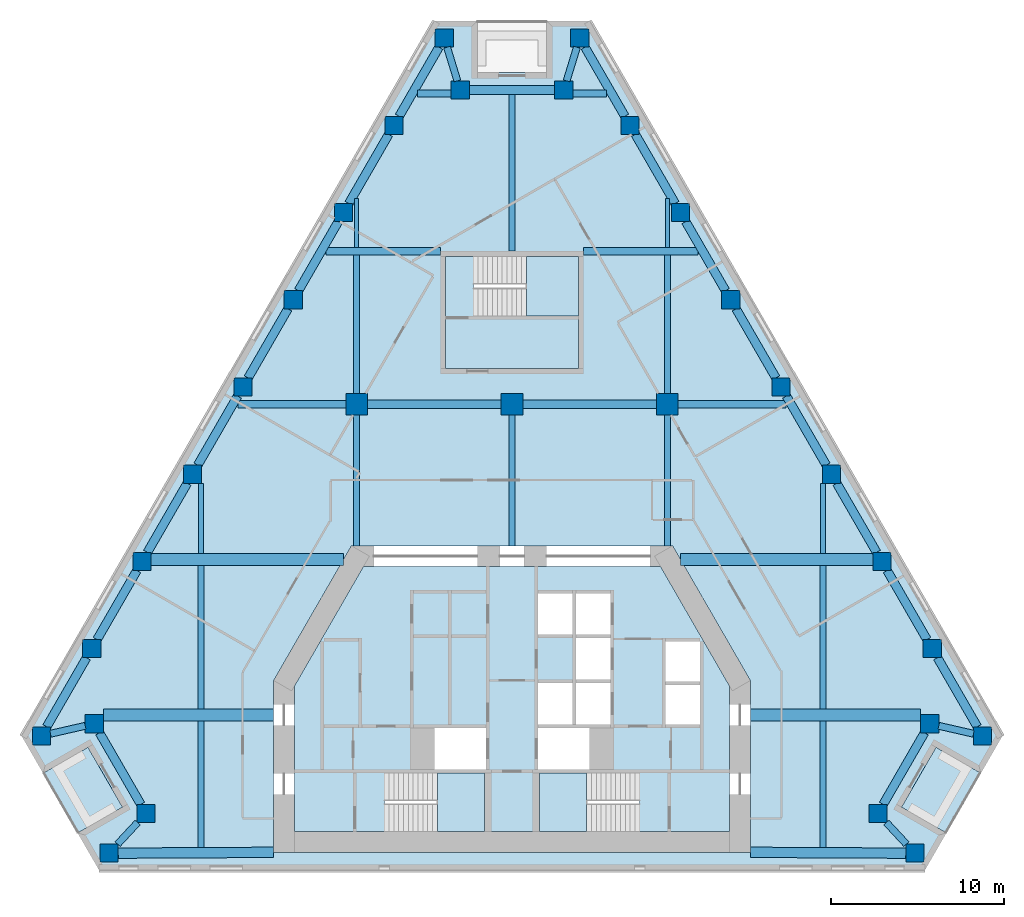
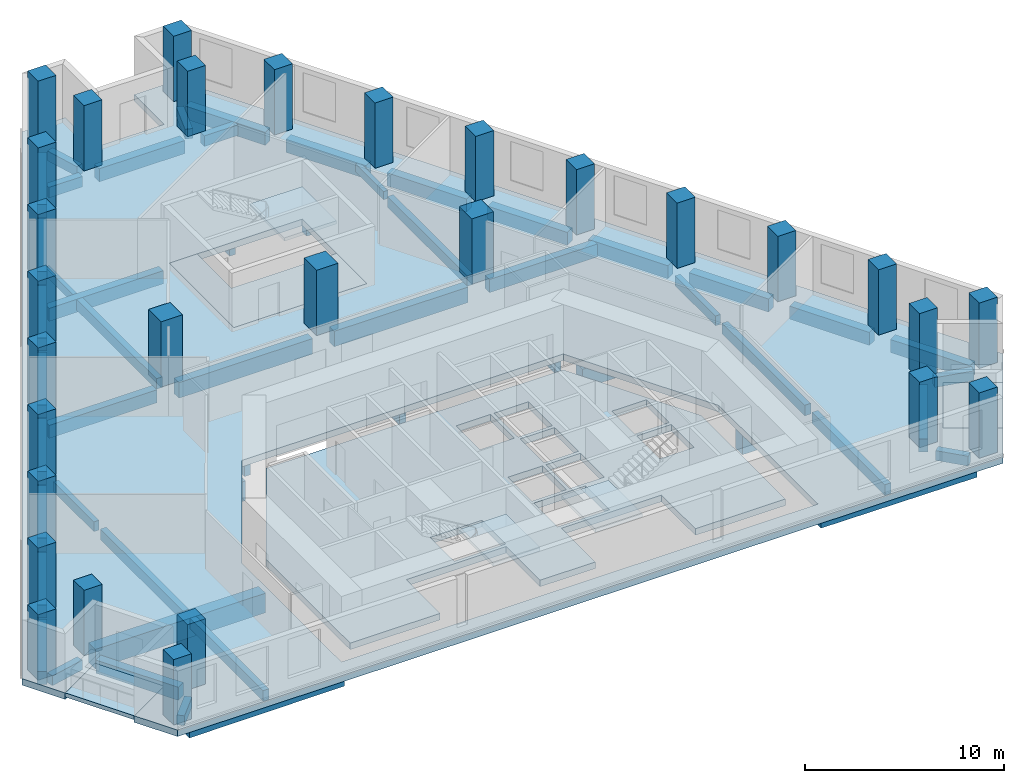
# One storey, part 1 of 7: 53 beams, 29 columns, 8 slabs, 3 elements without a shape of their own.
"""IFC4 building model written with IfcOpenShell, lengths in metres."""

from ifc_helpers import new_model, si_unit, direction, frame, origin, origin_2d, place, context, subcontext, project, spatial, polyline, rectangle, outline, extrude, material, layer, layer_set, material_profile, profile_set, type_object, element, aggregate, save


model = new_model("IFC4")

# Units and contexts
model_context = context("Model", 3, precision=1e-05, world=origin(), true_north=direction((0.0, 1.0)))
body_context = subcontext(model_context, "Body", "Model", "MODEL_VIEW")
ifc_project = project(units=[si_unit("LENGTHUNIT", "METRE"), si_unit("AREAUNIT", "SQUARE_METRE"), si_unit("VOLUMEUNIT", "CUBIC_METRE"), si_unit("PLANEANGLEUNIT", "RADIAN"), si_unit("MASSUNIT", "GRAM", prefix="KILO")], contexts=[model_context])

# Site, building, storey
site_placement = place(None, origin())
site = spatial("IfcSite", under=ifc_project, at=site_placement, CompositionType="ELEMENT")
building_placement = place(site_placement, origin())
building = spatial("IfcBuilding", under=site, at=building_placement, Name="Fogline Exchange Tower", CompositionType="ELEMENT")
storey_placement = place(building_placement, frame((0.0, 0.0, 166.89990234375)))
storey = spatial("IfcBuildingStorey", under=building, at=storey_placement, Name="L37", CompositionType="ELEMENT", Elevation=166.89990234375)

# Columns
ifc_material_1 = material(Name="Concrete C70", Category="concrete")
ifc_material_profile_1 = material_profile(ifc_material_1, rectangle(XDim=1.25, YDim=1.25, at=origin_2d()), Name="RC 1250x1250")
ifc_profile_set_1 = profile_set([ifc_material_profile_1], Name="Concrete C70")
column_type_1 = type_object("IfcColumnType", Name="C03", PredefinedType="COLUMN", material=ifc_profile_set_1)
for number, where, z_axis, x_axis, name in (
    (1, (-9.0, 27.0, 0.0), (0.0, 0.0, 1.0), (1.0, 0.0, 0.0), "IC--9-27"),
    (2, (0.0, 27.0, 0.0), (0.0, 0.0, 1.0), (1.0, 0.0, 0.0), "IC-0-27"),
    (3, (9.0, 27.0, 0.0), (0.0, 0.0, 1.0), (1.0, 0.0, 0.0), "IC-9-27"),
):
    element("IfcColumn", number, at=place(storey_placement, frame(where, z_axis=z_axis, x_axis=x_axis)), inside=storey, type_object=column_type_1, Name=name, PredefinedType="COLUMN", context=body_context, shape_type="SweptSolid", body=[
        extrude(rectangle(XDim=1.25, YDim=1.25, at=origin_2d()), origin(), (0.0, 0.0, 1.0), 4.0),
    ])
ifc_material_profile_2 = material_profile(ifc_material_1, rectangle(XDim=1.050048828125, YDim=1.050048828125, at=origin_2d()), Name="RC 1050x1050")
ifc_profile_set_2 = profile_set([ifc_material_profile_2], Name="Concrete C70")
column_type_2 = type_object("IfcColumnType", Name="C04", PredefinedType="COLUMN", material=ifc_profile_set_2)
for number, where, z_axis, x_axis, name in (
    (4, (-27.2490234375, 7.794189453125, 0.0), (0.0, 0.0, 1.0), (1.0, 0.0, 0.0), "SW-a"),
    (5, (-24.189697265625, 8.4951171875, 0.0), (0.0, 0.0, 1.0), (1.0, 0.0, 0.0), "SW-p4"),
    (6, (-21.189697265625, 3.299072265625, 0.0), (0.0, 0.0, 1.0), (1.0, 0.0, 0.0), "SW-p3"),
    (7, (-23.326416015625, 1.0, 0.0), (0.0, 0.0, 1.0), (1.0, 0.0, 0.0), "SW-b"),
    (8, (23.326416015625, 1.0, 0.0), (0.0, 0.0, 1.0), (1.0, 0.0, 0.0), "SE-a"),
    (9, (21.189697265625, 3.299072265625, 0.0), (0.0, 0.0, 1.0), (1.0, 0.0, 0.0), "SE-p4"),
    (10, (24.189697265625, 8.4951171875, 0.0), (0.0, 0.0, 1.0), (1.0, 0.0, 0.0), "SE-p3"),
    (11, (27.2490234375, 7.794189453125, 0.0), (0.0, 0.0, 1.0), (1.0, 0.0, 0.0), "SE-b"),
    (12, (24.333251953125, 12.844482421875, 0.0), (0.0, 0.0, 1.0), (1.0, 0.0, 0.0), "E1"),
    (13, (21.41748046875, 17.894775390625, 0.0), (0.0, 0.0, 1.0), (1.0, 0.0, 0.0), "E2"),
    (14, (18.501708984375, 22.945068359375, 0.0), (0.0, 0.0, 1.0), (1.0, 0.0, 0.0), "E3"),
    (15, (15.585693359375, 27.995361328125, 0.0), (0.0, 0.0, 1.0), (1.0, 0.0, 0.0), "E4"),
    (16, (12.669921875, 33.045654296875, 0.0), (0.0, 0.0, 1.0), (1.0, 0.0, 0.0), "E5"),
    (17, (9.754150390625, 38.095947265625, 0.0), (0.0, 0.0, 1.0), (1.0, 0.0, 0.0), "E6"),
    (18, (6.83837890625, 43.146240234375, 0.0), (0.0, 0.0, 1.0), (1.0, 0.0, 0.0), "E7"),
    (19, (3.922607421875, 48.19677734375, 0.0), (0.0, 0.0, 1.0), (1.0, 0.0, 0.0), "N-a"),
    (20, (3.0, 45.19677734375, 0.0), (0.0, 0.0, 1.0), (1.0, 0.0, 0.0), "N-p4"),
    (21, (-3.0, 45.19677734375, 0.0), (0.0, 0.0, 1.0), (1.0, 0.0, 0.0), "N-p3"),
    (22, (-3.922607421875, 48.19677734375, 0.0), (0.0, 0.0, 1.0), (1.0, 0.0, 0.0), "N-b"),
    (23, (-6.83837890625, 43.146240234375, 0.0), (0.0, 0.0, 1.0), (1.0, 0.0, 0.0), "W1"),
    (24, (-9.754150390625, 38.095947265625, 0.0), (0.0, 0.0, 1.0), (1.0, 0.0, 0.0), "W2"),
    (25, (-12.669921875, 33.045654296875, 0.0), (0.0, 0.0, 1.0), (1.0, 0.0, 0.0), "W3"),
    (26, (-15.585693359375, 27.995361328125, 0.0), (0.0, 0.0, 1.0), (1.0, 0.0, 0.0), "W4"),
    (27, (-18.501708984375, 22.945068359375, 0.0), (0.0, 0.0, 1.0), (1.0, 0.0, 0.0), "W5"),
    (28, (-21.41748046875, 17.894775390625, 0.0), (0.0, 0.0, 1.0), (1.0, 0.0, 0.0), "W6"),
    (29, (-24.333251953125, 12.844482421875, 0.0), (0.0, 0.0, 1.0), (1.0, 0.0, 0.0), "W7"),
):
    element("IfcColumn", number, at=place(storey_placement, frame(where, z_axis=z_axis, x_axis=x_axis)), inside=storey, type_object=column_type_2, Name=name, PredefinedType="COLUMN", context=body_context, shape_type="SweptSolid", body=[
        extrude(rectangle(XDim=1.050048828125, YDim=1.050048828125, at=origin_2d()), origin(), (0.0, 0.0, 1.0), 4.0),
    ])

# Beams
ifc_material_2 = material(Name="Concrete C40", Category="concrete")
ifc_material_profile_3 = material_profile(ifc_material_2, rectangle(XDim=0.300048828125, YDim=0.60009765625, at=origin_2d()), Name="RC 300x600")
ifc_profile_set_3 = profile_set([ifc_material_profile_3], Name="Concrete C40")
beam_type_1 = type_object("IfcBeamType", Name="B06", PredefinedType="BEAM", material=ifc_profile_set_3)
for number, where, z_axis, x_axis, name in (
    (30, (-18.0, 18.35009765625, -0.699951171875), (0.0, 1.0, 0.0), (-1.0, 0.0, 0.0), "SB003"),
    (31, (18.0, 18.35009765625, -0.699951171875), (0.0, 1.0, 0.0), (-1.0, 0.0, 0.0), "SB014"),
):
    element("IfcBeam", number, at=place(storey_placement, frame(where, z_axis=z_axis, x_axis=x_axis)), inside=storey, type_object=beam_type_1, Name=name, PredefinedType="BEAM", context=body_context, shape_type="SweptSolid", body=[
        extrude(rectangle(XDim=0.300048828125, YDim=0.60009765625, at=origin_2d()), origin(), (0.0, 0.0, 1.0), 4.070068359375),
    ])
ifc_material_profile_4 = material_profile(ifc_material_2, rectangle(XDim=0.25, YDim=0.5, at=origin_2d()), Name="RC 250x500")
ifc_profile_set_4 = profile_set([ifc_material_profile_4], Name="Concrete C40")
beam_type_2 = type_object("IfcBeamType", Name="B08", PredefinedType="BEAM", material=ifc_profile_set_4)
for number, where, z_axis, x_axis, name in (
    (32, (-9.0, 36.08203125, -0.64990234375), (0.0, 1.0, 0.0), (-1.0, 0.0, 0.0), "SB006"),
    (33, (9.0, 36.08203125, -0.64990234375), (0.0, 1.0, 0.0), (-1.0, 0.0, 0.0), "SB011"),
):
    element("IfcBeam", number, at=place(storey_placement, frame(where, z_axis=z_axis, x_axis=x_axis)), inside=storey, type_object=beam_type_2, Name=name, PredefinedType="BEAM", context=body_context, shape_type="SweptSolid", body=[
        extrude(rectangle(XDim=0.25, YDim=0.5, at=origin_2d()), origin(), (0.0, 0.0, 1.0), 2.8203125),
    ])
ifc_material_profile_5 = material_profile(ifc_material_2, rectangle(XDim=0.60009765625, YDim=0.89990234375, at=origin_2d()), Name="RC 600x900")
ifc_profile_set_5 = profile_set([ifc_material_profile_5], Name="Concrete C40")
beam_type_3 = type_object("IfcBeamType", Name="B09", PredefinedType="BEAM", material=ifc_profile_set_5)
for number, where, z_axis, x_axis, name in (
    (34, (-22.801513671875, 1.0, -0.849853515625), (0.999984543136, 0.005559990001, 0.0), (-0.005559990001, 0.999984543136, 0.0), "RB004"),
    (35, (13.800048828125, 1.050048828125, -0.849853515625), (0.999984543136, -0.005559990001, 0.0), (0.005559990001, 0.999984543136, 0.0), "RB005"),
):
    element("IfcBeam", number, at=place(storey_placement, frame(where, z_axis=z_axis, x_axis=x_axis)), inside=storey, type_object=beam_type_3, Name=name, PredefinedType="BEAM", context=body_context, shape_type="SweptSolid", body=[
        extrude(rectangle(XDim=0.60009765625, YDim=0.89990234375, at=origin_2d()), origin(), (0.0, 0.0, 1.0), 9.001708984375),
    ])
ifc_material_profile_6 = material_profile(ifc_material_2, rectangle(XDim=0.5, YDim=0.800048828125, at=origin_2d()), Name="RC 500x800")
ifc_profile_set_6 = profile_set([ifc_material_profile_6], Name="Concrete C40")
beam_type_4 = type_object("IfcBeamType", Name="B10", PredefinedType="BEAM", material=ifc_profile_set_6)
for number, where, z_axis, x_axis, name in (
    (36, (-23.886474609375, 7.97021484375, -0.7998046875), (0.499994660107, -0.866028486751, 0.0), (0.866028486751, 0.499994660107, 0.0), "RB002"),
    (37, (21.49267578125, 3.823974609375, -0.7998046875), (0.499994660107, 0.866028486751, 0.0), (-0.866028486751, 0.499994660107, 0.0), "RB007"),
):
    element("IfcBeam", number, at=place(storey_placement, frame(where, z_axis=z_axis, x_axis=x_axis)), inside=storey, type_object=beam_type_4, Name=name, PredefinedType="BEAM", context=body_context, shape_type="SweptSolid", body=[
        extrude(rectangle(XDim=0.5, YDim=0.800048828125, at=origin_2d()), origin(), (0.0, 0.0, 1.0), 4.78759765625),
    ])
for number, where, z_axis, x_axis, name in (
    (38, (26.94580078125, 8.319091796875, -0.7998046875), (-0.499981705991, 0.866035965578, 0.0), (-0.866035965578, -0.499981705991, 0.0), "RB009"),
    (39, (24.030029296875, 13.369384765625, -0.7998046875), (-0.499981705991, 0.866035965578, 0.0), (-0.866035965578, -0.499981705991, 0.0), "RB010"),
):
    element("IfcBeam", number, at=place(storey_placement, frame(where, z_axis=z_axis, x_axis=x_axis)), inside=storey, type_object=beam_type_4, Name=name, PredefinedType="BEAM", context=body_context, shape_type="SweptSolid", body=[
        extrude(rectangle(XDim=0.5, YDim=0.800048828125, at=origin_2d()), origin(), (0.0, 0.0, 1.0), 4.619384765625),
    ])
for number, where, z_axis, x_axis, name in (
    (40, (21.1142578125, 18.419921875, -0.7998046875), (-0.500004591975, 0.86602275259, 0.0), (-0.86602275259, -0.500004591975, 0.0), "RB011"),
    (41, (18.198486328125, 23.47021484375, -0.7998046875), (-0.500004591975, 0.86602275259, 0.0), (-0.86602275259, -0.500004591975, 0.0), "RB012"),
    (42, (15.28271484375, 28.5205078125, -0.7998046875), (-0.500004591975, 0.86602275259, 0.0), (-0.86602275259, -0.500004591975, 0.0), "RB013"),
    (43, (12.366943359375, 33.57080078125, -0.7998046875), (-0.500004591975, 0.86602275259, 0.0), (-0.86602275259, -0.500004591975, 0.0), "RB014"),
    (44, (9.451171875, 38.62109375, -0.7998046875), (-0.500004591975, 0.86602275259, 0.0), (-0.86602275259, -0.500004591975, 0.0), "RB015"),
    (45, (6.535400390625, 43.67138671875, -0.7998046875), (-0.500004591975, 0.86602275259, 0.0), (-0.86602275259, -0.500004591975, 0.0), "RB016"),
):
    element("IfcBeam", number, at=place(storey_placement, frame(where, z_axis=z_axis, x_axis=x_axis)), inside=storey, type_object=beam_type_4, Name=name, PredefinedType="BEAM", context=body_context, shape_type="SweptSolid", body=[
        extrude(rectangle(XDim=0.5, YDim=0.800048828125, at=origin_2d()), origin(), (0.0, 0.0, 1.0), 4.619140625),
    ])
beam_1_placement = place(storey_placement, frame((2.47509765625, 45.19677734375, -0.7998046875), z_axis=(-1.0, 0.0, 0.0), x_axis=(0.0, -1.0, 0.0)))
element("IfcBeam", 46, at=beam_1_placement, inside=storey, type_object=beam_type_4, Name="RB018", PredefinedType="BEAM", context=body_context, shape_type="SweptSolid", body=[
    extrude(rectangle(XDim=0.5, YDim=0.800048828125, at=origin_2d()), origin(), (0.0, 0.0, 1.0), 4.9501953125),
])
for number, where, z_axis, x_axis, name in (
    (47, (-4.225830078125, 47.671630859375, -0.7998046875), (-0.500004591975, -0.86602275259, 0.0), (0.86602275259, -0.500004591975, 0.0), "RB020"),
    (48, (-7.1416015625, 42.621337890625, -0.7998046875), (-0.500004591975, -0.86602275259, 0.0), (0.86602275259, -0.500004591975, 0.0), "RB021"),
    (49, (-10.057373046875, 37.571044921875, -0.7998046875), (-0.500004591975, -0.86602275259, 0.0), (0.86602275259, -0.500004591975, 0.0), "RB022"),
    (50, (-12.97314453125, 32.520751953125, -0.7998046875), (-0.500004591975, -0.86602275259, 0.0), (0.86602275259, -0.500004591975, 0.0), "RB023"),
    (51, (-15.888916015625, 27.470458984375, -0.7998046875), (-0.500004591975, -0.86602275259, 0.0), (0.86602275259, -0.500004591975, 0.0), "RB024"),
    (52, (-18.8046875, 22.420166015625, -0.7998046875), (-0.500004591975, -0.86602275259, 0.0), (0.86602275259, -0.500004591975, 0.0), "RB025"),
):
    element("IfcBeam", number, at=place(storey_placement, frame(where, z_axis=z_axis, x_axis=x_axis)), inside=storey, type_object=beam_type_4, Name=name, PredefinedType="BEAM", context=body_context, shape_type="SweptSolid", body=[
        extrude(rectangle(XDim=0.5, YDim=0.800048828125, at=origin_2d()), origin(), (0.0, 0.0, 1.0), 4.619140625),
    ])
for number, where, z_axis, x_axis, name in (
    (53, (-21.720458984375, 17.369873046875, -0.7998046875), (-0.499981705991, -0.866035965578, 0.0), (0.866035965578, -0.499981705991, 0.0), "RB026"),
    (54, (-24.63623046875, 12.319580078125, -0.7998046875), (-0.499981705991, -0.866035965578, 0.0), (0.866035965578, -0.499981705991, 0.0), "RB027"),
):
    element("IfcBeam", number, at=place(storey_placement, frame(where, z_axis=z_axis, x_axis=x_axis)), inside=storey, type_object=beam_type_4, Name=name, PredefinedType="BEAM", context=body_context, shape_type="SweptSolid", body=[
        extrude(rectangle(XDim=0.5, YDim=0.800048828125, at=origin_2d()), origin(), (0.0, 0.0, 1.0), 4.619384765625),
    ])
ifc_material_profile_7 = material_profile(ifc_material_2, rectangle(XDim=0.39990234375, YDim=0.60009765625, at=origin_2d()), Name="RC 400x600")
ifc_profile_set_7 = profile_set([ifc_material_profile_7], Name="Concrete C40")
beam_type_5 = type_object("IfcBeamType", Name="B11", PredefinedType="BEAM", material=ifc_profile_set_7)
beam_2_placement = place(storey_placement, frame((-26.72412109375, 7.91455078125, -0.699951171875), z_axis=(0.974739301343, 0.223345683676, 0.0), x_axis=(-0.223345683676, 0.974739301343, 0.0)))
element("IfcBeam", 55, at=beam_2_placement, inside=storey, type_object=beam_type_5, Name="RB001", PredefinedType="BEAM", context=body_context, shape_type="SweptSolid", body=[
    extrude(rectangle(XDim=0.39990234375, YDim=0.60009765625, at=origin_2d()), origin(), (0.0, 0.0, 1.0), 2.0615234375),
])
for number, where, z_axis, x_axis, name in (
    (56, (-21.677490234375, 2.77392578125, -0.699951171875), (-0.680791505026, -0.732477253357, 0.0), (0.732477253357, -0.680791505026, 0.0), "RB003"),
    (57, (22.83837890625, 1.52490234375, -0.699951171875), (-0.680791505026, 0.732477253357, 0.0), (-0.732477253357, -0.680791505026, 0.0), "RB006"),
):
    element("IfcBeam", number, at=place(storey_placement, frame(where, z_axis=z_axis, x_axis=x_axis)), inside=storey, type_object=beam_type_5, Name=name, PredefinedType="BEAM", context=body_context, shape_type="SweptSolid", body=[
        extrude(rectangle(XDim=0.39990234375, YDim=0.60009765625, at=origin_2d()), origin(), (0.0, 0.0, 1.0), 1.705322265625),
    ])
beam_3_placement = place(storey_placement, frame((24.714599609375, 8.375, -0.699951171875), z_axis=(0.974739301343, -0.223345683676, 0.0), x_axis=(0.223345683676, 0.974739301343, 0.0)))
element("IfcBeam", 58, at=beam_3_placement, inside=storey, type_object=beam_type_5, Name="RB008", PredefinedType="BEAM", context=body_context, shape_type="SweptSolid", body=[
    extrude(rectangle(XDim=0.39990234375, YDim=0.60009765625, at=origin_2d()), origin(), (0.0, 0.0, 1.0), 2.0615234375),
])
for number, where, z_axis, x_axis, name in (
    (59, (3.76123046875, 47.671630859375, -0.699951171875), (-0.293917654764, -0.955830744545, 0.0), (0.955830744545, -0.293917654764, 0.0), "RB017"),
    (60, (-3.16162109375, 45.7216796875, -0.699951171875), (-0.293917654764, 0.955830744545, 0.0), (-0.955830744545, -0.293917654764, 0.0), "RB019"),
):
    element("IfcBeam", number, at=place(storey_placement, frame(where, z_axis=z_axis, x_axis=x_axis)), inside=storey, type_object=beam_type_5, Name=name, PredefinedType="BEAM", context=body_context, shape_type="SweptSolid", body=[
        extrude(rectangle(XDim=0.39990234375, YDim=0.60009765625, at=origin_2d()), origin(), (0.0, 0.0, 1.0), 2.0400390625),
    ])
ifc_material_profile_8 = material_profile(ifc_material_2, rectangle(XDim=0.39990234375, YDim=0.64990234375, at=origin_2d()), Name="RC 400x650")
ifc_profile_set_8 = profile_set([ifc_material_profile_8], Name="Concrete C40")
beam_type_6 = type_object("IfcBeamType", Name="B13", PredefinedType="BEAM", material=ifc_profile_set_8)
for number, where, z_axis, x_axis, name in (
    (61, (-5.4794921875, 45.0, -0.724853515625), (1.0, 0.0, 0.0), (0.0, 1.0, 0.0), "GB011"),
    (62, (3.52490234375, 45.0, -0.724853515625), (1.0, 0.0, 0.0), (0.0, 1.0, 0.0), "GB012"),
):
    element("IfcBeam", number, at=place(storey_placement, frame(where, z_axis=z_axis, x_axis=x_axis)), inside=storey, type_object=beam_type_6, Name=name, PredefinedType="BEAM", context=body_context, shape_type="SweptSolid", body=[
        extrude(rectangle(XDim=0.39990234375, YDim=0.64990234375, at=origin_2d()), origin(), (0.0, 0.0, 1.0), 1.95458984375),
    ])
ifc_material_profile_9 = material_profile(ifc_material_2, rectangle(XDim=0.5, YDim=0.949951171875, at=origin_2d()), Name="RC 500x950")
ifc_profile_set_9 = profile_set([ifc_material_profile_9], Name="Concrete C40")
beam_type_7 = type_object("IfcBeamType", Name="B14", PredefinedType="BEAM", material=ifc_profile_set_9)
for number, where, z_axis, x_axis, name in (
    (63, (-8.375, 27.0, -0.875), (1.0, 0.0, 0.0), (0.0, 1.0, 0.0), "GB006"),
    (64, (0.625, 27.0, -0.875), (1.0, 0.0, 0.0), (0.0, 1.0, 0.0), "GB007"),
):
    element("IfcBeam", number, at=place(storey_placement, frame(where, z_axis=z_axis, x_axis=x_axis)), inside=storey, type_object=beam_type_7, Name=name, PredefinedType="BEAM", context=body_context, shape_type="SweptSolid", body=[
        extrude(rectangle(XDim=0.5, YDim=0.949951171875, at=origin_2d()), origin(), (0.0, 0.0, 1.0), 7.75),
    ])
ifc_material_profile_10 = material_profile(ifc_material_2, rectangle(XDim=0.35009765625, YDim=0.64990234375, at=origin_2d()), Name="RC 350x650")
ifc_profile_set_10 = profile_set([ifc_material_profile_10], Name="Concrete C40")
beam_type_8 = type_object("IfcBeamType", Name="B16", PredefinedType="BEAM", material=ifc_profile_set_10)
beam_4_placement = place(storey_placement, frame((-18.0, 1.327880859375, -0.724853515625), z_axis=(0.0, 1.0, 0.0), x_axis=(-1.0, 0.0, 0.0)))
element("IfcBeam", 65, at=beam_4_placement, inside=storey, type_object=beam_type_8, Name="SB001", PredefinedType="BEAM", context=body_context, shape_type="SweptSolid", body=[
    extrude(rectangle(XDim=0.35009765625, YDim=0.64990234375, at=origin_2d()), origin(), (0.0, 0.0, 1.0), 7.322021484375),
])
beam_5_placement = place(storey_placement, frame((-18.0, 9.35009765625, -0.724853515625), z_axis=(0.0, 1.0, 0.0), x_axis=(-1.0, 0.0, 0.0)))
element("IfcBeam", 66, at=beam_5_placement, inside=storey, type_object=beam_type_8, Name="SB002", PredefinedType="BEAM", context=body_context, shape_type="SweptSolid", body=[
    extrude(rectangle(XDim=0.35009765625, YDim=0.64990234375, at=origin_2d()), origin(), (0.0, 0.0, 1.0), 8.2998046875),
])
beam_6_placement = place(storey_placement, frame((-9.0, 18.800048828125, -0.724853515625), z_axis=(0.0, 1.0, 0.0), x_axis=(-1.0, 0.0, 0.0)))
element("IfcBeam", 67, at=beam_6_placement, inside=storey, type_object=beam_type_8, Name="SB004", PredefinedType="BEAM", context=body_context, shape_type="SweptSolid", body=[
    extrude(rectangle(XDim=0.35009765625, YDim=0.64990234375, at=origin_2d()), origin(), (0.0, 0.0, 1.0), 7.574951171875),
])
beam_7_placement = place(storey_placement, frame((-9.0, 27.625, -0.724853515625), z_axis=(0.0, 1.0, 0.0), x_axis=(-1.0, 0.0, 0.0)))
element("IfcBeam", 68, at=beam_7_placement, inside=storey, type_object=beam_type_8, Name="SB005", PredefinedType="BEAM", context=body_context, shape_type="SweptSolid", body=[
    extrude(rectangle(XDim=0.35009765625, YDim=0.64990234375, at=origin_2d()), origin(), (0.0, 0.0, 1.0), 8.007080078125),
])
beam_8_placement = place(storey_placement, frame((0.0, 18.800048828125, -0.724853515625), z_axis=(0.0, 1.0, 0.0), x_axis=(-1.0, 0.0, 0.0)))
element("IfcBeam", 69, at=beam_8_placement, inside=storey, type_object=beam_type_8, Name="SB007", PredefinedType="BEAM", context=body_context, shape_type="SweptSolid", body=[
    extrude(rectangle(XDim=0.35009765625, YDim=0.64990234375, at=origin_2d()), origin(), (0.0, 0.0, 1.0), 7.574951171875),
])
beam_9_placement = place(storey_placement, frame((0.0, 35.85693359375, -0.724853515625), z_axis=(0.0, 1.0, 0.0), x_axis=(-1.0, 0.0, 0.0)))
element("IfcBeam", 70, at=beam_9_placement, inside=storey, type_object=beam_type_8, Name="SB008", PredefinedType="BEAM", context=body_context, shape_type="SweptSolid", body=[
    extrude(rectangle(XDim=0.35009765625, YDim=0.64990234375, at=origin_2d()), origin(), (0.0, 0.0, 1.0), 9.08984375),
])
beam_10_placement = place(storey_placement, frame((9.0, 18.800048828125, -0.724853515625), z_axis=(0.0, 1.0, 0.0), x_axis=(-1.0, 0.0, 0.0)))
element("IfcBeam", 71, at=beam_10_placement, inside=storey, type_object=beam_type_8, Name="SB009", PredefinedType="BEAM", context=body_context, shape_type="SweptSolid", body=[
    extrude(rectangle(XDim=0.35009765625, YDim=0.64990234375, at=origin_2d()), origin(), (0.0, 0.0, 1.0), 7.574951171875),
])
beam_11_placement = place(storey_placement, frame((9.0, 27.625, -0.724853515625), z_axis=(0.0, 1.0, 0.0), x_axis=(-1.0, 0.0, 0.0)))
element("IfcBeam", 72, at=beam_11_placement, inside=storey, type_object=beam_type_8, Name="SB010", PredefinedType="BEAM", context=body_context, shape_type="SweptSolid", body=[
    extrude(rectangle(XDim=0.35009765625, YDim=0.64990234375, at=origin_2d()), origin(), (0.0, 0.0, 1.0), 8.007080078125),
])
beam_12_placement = place(storey_placement, frame((18.0, 1.327880859375, -0.724853515625), z_axis=(0.0, 1.0, 0.0), x_axis=(-1.0, 0.0, 0.0)))
element("IfcBeam", 73, at=beam_12_placement, inside=storey, type_object=beam_type_8, Name="SB012", PredefinedType="BEAM", context=body_context, shape_type="SweptSolid", body=[
    extrude(rectangle(XDim=0.35009765625, YDim=0.64990234375, at=origin_2d()), origin(), (0.0, 0.0, 1.0), 7.322021484375),
])
beam_13_placement = place(storey_placement, frame((18.0, 9.35009765625, -0.724853515625), z_axis=(0.0, 1.0, 0.0), x_axis=(-1.0, 0.0, 0.0)))
element("IfcBeam", 74, at=beam_13_placement, inside=storey, type_object=beam_type_8, Name="SB013", PredefinedType="BEAM", context=body_context, shape_type="SweptSolid", body=[
    extrude(rectangle(XDim=0.35009765625, YDim=0.64990234375, at=origin_2d()), origin(), (0.0, 0.0, 1.0), 8.2998046875),
])
ifc_material_profile_11 = material_profile(ifc_material_2, rectangle(XDim=0.699951171875, YDim=1.199951171875, at=origin_2d()), Name="RC 700x1200")
ifc_profile_set_11 = profile_set([ifc_material_profile_11], Name="Concrete C40")
beam_type_9 = type_object("IfcBeamType", Name="B17", PredefinedType="BEAM", material=ifc_profile_set_11)
for number, where, z_axis, x_axis, name in (
    (75, (-23.66455078125, 9.0, -1.0), (1.0, 0.0, 0.0), (0.0, 1.0, 0.0), "GB001"),
    (76, (13.800048828125, 9.0, -1.0), (1.0, 0.0, 0.0), (0.0, 1.0, 0.0), "GB002"),
):
    element("IfcBeam", number, at=place(storey_placement, frame(where, z_axis=z_axis, x_axis=x_axis)), inside=storey, type_object=beam_type_9, Name=name, PredefinedType="BEAM", context=body_context, shape_type="SweptSolid", body=[
        extrude(rectangle(XDim=0.699951171875, YDim=1.199951171875, at=origin_2d()), origin(), (0.0, 0.0, 1.0), 9.864501953125),
    ])
for number, where, z_axis, x_axis, name in (
    (77, (-20.892333984375, 18.0, -1.0), (1.0, 0.0, 0.0), (0.0, 1.0, 0.0), "GB003"),
    (78, (9.758056640625, 18.0, -1.0), (1.0, 0.0, 0.0), (0.0, 1.0, 0.0), "GB004"),
):
    element("IfcBeam", number, at=place(storey_placement, frame(where, z_axis=z_axis, x_axis=x_axis)), inside=storey, type_object=beam_type_9, Name=name, PredefinedType="BEAM", context=body_context, shape_type="SweptSolid", body=[
        extrude(rectangle(XDim=0.699951171875, YDim=1.199951171875, at=origin_2d()), origin(), (0.0, 0.0, 1.0), 11.13427734375),
    ])
ifc_material_profile_12 = material_profile(ifc_material_2, rectangle(XDim=0.449951171875, YDim=0.800048828125, at=origin_2d()), Name="RC 450x800")
ifc_profile_set_12 = profile_set([ifc_material_profile_12], Name="Concrete C40")
beam_type_10 = type_object("IfcBeamType", Name="B18", PredefinedType="BEAM", material=ifc_profile_set_12)
for number, where, z_axis, x_axis, name in (
    (79, (-15.871826171875, 27.0, -0.7998046875), (1.0, 0.0, 0.0), (0.0, 1.0, 0.0), "GB005"),
    (80, (9.625, 27.0, -0.7998046875), (1.0, 0.0, 0.0), (0.0, 1.0, 0.0), "GB008"),
):
    element("IfcBeam", number, at=place(storey_placement, frame(where, z_axis=z_axis, x_axis=x_axis)), inside=storey, type_object=beam_type_10, Name=name, PredefinedType="BEAM", context=body_context, shape_type="SweptSolid", body=[
        extrude(rectangle(XDim=0.449951171875, YDim=0.800048828125, at=origin_2d()), origin(), (0.0, 0.0, 1.0), 6.246826171875),
    ])
for number, where, z_axis, x_axis, name in (
    (81, (-10.75830078125, 35.85693359375, -0.7998046875), (1.0, 0.0, 0.0), (0.0, 1.0, 0.0), "GB009"),
    (82, (4.14990234375, 35.85693359375, -0.7998046875), (1.0, 0.0, 0.0), (0.0, 1.0, 0.0), "GB010"),
):
    element("IfcBeam", number, at=place(storey_placement, frame(where, z_axis=z_axis, x_axis=x_axis)), inside=storey, type_object=beam_type_10, Name=name, PredefinedType="BEAM", context=body_context, shape_type="SweptSolid", body=[
        extrude(rectangle(XDim=0.449951171875, YDim=0.800048828125, at=origin_2d()), origin(), (0.0, 0.0, 1.0), 6.6083984375),
    ])

# Slabs
ifc_layer_1 = layer(ifc_material_2, 0.25)
ifc_layer_set_1 = layer_set([ifc_layer_1], Name="DK1")
slab_type_1 = type_object("IfcSlabType", Name="DK1", PredefinedType="FLOOR", material=ifc_layer_set_1)
slab_1_placement = place(storey_placement, frame((0.0, 0.0, -0.25)))
element("IfcSlab", 83, at=slab_1_placement, inside=storey, type_object=slab_type_1, Name="Balcony L37 SW", PredefinedType="FLOOR", context=body_context, shape_type="SweptSolid", body=[
    extrude(outline(polyline([(-27.15380859375, 5.629150390625), (-25.15380859375, 2.1650390625), (-22.5556640625, 3.6650390625), (-24.5556640625, 7.129150390625), (-27.15380859375, 5.629150390625)])), origin(), (0.0, 0.0, 1.0), 0.25),
])
slab_2_placement = place(storey_placement, frame((0.0, 0.0, -0.25)))
element("IfcSlab", 84, at=slab_2_placement, inside=storey, type_object=slab_type_1, Name="Balcony L37 SE", PredefinedType="FLOOR", context=body_context, shape_type="SweptSolid", body=[
    extrude(outline(polyline([(25.15380859375, 2.1650390625), (27.15380859375, 5.629150390625), (24.5556640625, 7.129150390625), (22.5556640625, 3.6650390625), (25.15380859375, 2.1650390625)])), origin(), (0.0, 0.0, 1.0), 0.25),
])
ifc_layer_2 = layer(ifc_material_2, 0.39990234375)
ifc_layer_set_2 = layer_set([ifc_layer_2], Name="S03")
slab_type_2 = type_object("IfcSlabType", Name="S03", PredefinedType="FLOOR", material=ifc_layer_set_2)
slab_3_placement = place(storey_placement, frame((0.0, 0.0, -0.39990234375)))
element("IfcSlab", 85, at=slab_3_placement, inside=storey, type_object=slab_type_2, Name="SLAB L37", PredefinedType="FLOOR", context=body_context, shape_type="SweptSolid", body=[
    extrude(outline(polyline([(-2.0, 49.19677734375), (-4.5, 49.19677734375), (-28.40380859375, 7.794189453125), (-27.15380859375, 5.629150390625), (-24.5556640625, 7.129150390625), (-22.5556640625, 3.6650390625), (-25.15380859375, 2.1650390625), (-23.90380859375, 0.0), (23.90380859375, 0.0), (25.15380859375, 2.1650390625), (22.5556640625, 3.6650390625), (24.5556640625, 7.129150390625), (27.15380859375, 5.629150390625), (28.40380859375, 7.794189453125), (4.5, 49.19677734375), (2.0, 49.19677734375), (2.0, 46.19677734375), (-2.0, 46.19677734375), (-2.0, 49.19677734375)]), holes=[polyline([(13.800048828125, 10.9990234375), (13.800048828125, 1.050048828125), (-13.800048828125, 1.050048828125), (-13.800048828125, 10.9990234375), (-9.296142578125, 18.800048828125), (9.296142578125, 18.800048828125), (13.800048828125, 10.9990234375)]), polyline([(3.85009765625, 35.556884765625), (3.85009765625, 29.056884765625), (-3.85009765625, 29.056884765625), (-3.85009765625, 35.556884765625), (3.85009765625, 35.556884765625)])]), origin(), (0.0, 0.0, 1.0), 0.39990234375),
])
slab_4_placement = place(storey_placement, frame((0.0, 0.0, -0.39990234375)))
element("IfcSlab", 86, at=slab_4_placement, inside=storey, type_object=slab_type_2, Name="Core floor slab", PredefinedType="FLOOR", context=body_context, shape_type="SweptSolid", body=[
    extrude(outline(polyline([(-12.60009765625, 2.25), (-12.60009765625, 10.677490234375), (-8.603271484375, 17.60009765625), (8.603271484375, 17.60009765625), (12.60009765625, 10.677490234375), (12.60009765625, 2.25), (7.389892578125, 2.25), (7.389892578125, 5.64990234375), (1.60009765625, 5.64990234375), (1.60009765625, 2.25), (-1.60009765625, 2.25), (-1.60009765625, 5.64990234375), (-7.389892578125, 5.64990234375), (-7.389892578125, 2.25), (-12.60009765625, 2.25)]), holes=[polyline([(-4.5, 8.25), (-4.5, 5.85009765625), (-1.5, 5.85009765625), (-1.5, 8.25), (-4.5, 8.25)]), polyline([(4.5, 8.25), (1.5, 8.25), (1.5, 5.85009765625), (4.5, 5.85009765625), (4.5, 8.25)]), polyline([(3.5, 10.85009765625), (1.5, 10.85009765625), (1.5, 8.449951171875), (3.5, 8.449951171875), (3.5, 10.85009765625)]), polyline([(1.5, 16.050048828125), (1.5, 13.64990234375), (3.5, 13.64990234375), (3.5, 16.050048828125), (1.5, 16.050048828125)]), polyline([(10.89990234375, 10.75), (8.89990234375, 10.75), (8.89990234375, 8.449951171875), (10.89990234375, 8.449951171875), (10.89990234375, 10.75)]), polyline([(5.699951171875, 10.85009765625), (3.699951171875, 10.85009765625), (3.699951171875, 8.449951171875), (5.699951171875, 8.449951171875), (5.699951171875, 10.85009765625)]), polyline([(8.89990234375, 13.25), (8.89990234375, 10.949951171875), (10.89990234375, 10.949951171875), (10.89990234375, 13.25), (8.89990234375, 13.25)]), polyline([(5.699951171875, 13.449951171875), (3.699951171875, 13.449951171875), (3.699951171875, 11.050048828125), (5.699951171875, 11.050048828125), (5.699951171875, 13.449951171875)]), polyline([(5.699951171875, 16.050048828125), (3.699951171875, 16.050048828125), (3.699951171875, 13.64990234375), (5.699951171875, 13.64990234375), (5.699951171875, 16.050048828125)])]), origin(), (0.0, 0.0, 1.0), 0.39990234375),
])
slab_5_placement = place(storey_placement, frame((0.0, 0.0, -0.39990234375)))
element("IfcSlab", 87, at=slab_5_placement, inside=storey, type_object=slab_type_2, Name="Stair enclosure floor slab", PredefinedType="FLOOR", context=body_context, shape_type="SweptSolid", body=[
    extrude(outline(polyline([(3.85009765625, 29.056884765625), (-3.85009765625, 29.056884765625), (-3.85009765625, 35.556884765625), (-2.239990234375, 35.556884765625), (-2.239990234375, 32.10693359375), (3.85009765625, 32.10693359375), (3.85009765625, 29.056884765625)])), origin(), (0.0, 0.0, 1.0), 0.39990234375),
])

# Stair, slab
stair_type = type_object("IfcStairType", Name="STR24-1667", PredefinedType="HALF_TURN_STAIR", material=ifc_material_2)
stair_1_placement = place(storey_placement, origin())
stair_1 = element("IfcStair", 88, at=stair_1_placement, inside=storey, type_object=stair_type, Name="Stair ST1", PredefinedType="HALF_TURN_STAIR")
ifc_layer_3 = layer(ifc_material_2, 0.199951171875)
ifc_layer_set_3 = layer_set([ifc_layer_3], Name="SL200")
slab_type_3 = type_object("IfcSlabType", Name="SL200", PredefinedType="LANDING", material=ifc_layer_set_3)
slab_6_placement = place(storey_placement, frame((0.0, 0.0, 1.800048828125)))
slab_6 = element("IfcSlab", 89, at=slab_6_placement, type_object=slab_type_3, Name="ST1 landing 1", PredefinedType="LANDING", context=body_context, shape_type="SweptSolid", body=[
    extrude(outline(polyline([(-4.320068359375, 2.25), (-1.60009765625, 2.25), (-1.60009765625, 5.64990234375), (-4.320068359375, 5.64990234375), (-4.320068359375, 2.25)])), origin(), (0.0, 0.0, 1.0), 0.199951171875),
])
aggregate(stair_1, [slab_6])

stair_2_placement = place(storey_placement, origin())
stair_2 = element("IfcStair", 90, at=stair_2_placement, inside=storey, type_object=stair_type, Name="Stair ST2", PredefinedType="HALF_TURN_STAIR")
slab_7_placement = place(storey_placement, frame((0.0, 0.0, 1.800048828125)))
slab_7 = element("IfcSlab", 91, at=slab_7_placement, type_object=slab_type_3, Name="ST2 landing 1", PredefinedType="LANDING", context=body_context, shape_type="SweptSolid", body=[
    extrude(outline(polyline([(1.60009765625, 2.25), (4.320068359375, 2.25), (4.320068359375, 5.64990234375), (1.60009765625, 5.64990234375), (1.60009765625, 2.25)])), origin(), (0.0, 0.0, 1.0), 0.199951171875),
])
aggregate(stair_2, [slab_7])

stair_3_placement = place(storey_placement, origin())
stair_3 = element("IfcStair", 92, at=stair_3_placement, inside=storey, type_object=stair_type, Name="Stair ST3", PredefinedType="HALF_TURN_STAIR")
slab_8_placement = place(storey_placement, frame((0.0, 0.0, 1.800048828125)))
slab_8 = element("IfcSlab", 93, at=slab_8_placement, type_object=slab_type_3, Name="ST3 landing 1", PredefinedType="LANDING", context=body_context, shape_type="SweptSolid", body=[
    extrude(outline(polyline([(0.830078125, 32.10693359375), (3.85009765625, 32.10693359375), (3.85009765625, 35.556884765625), (0.830078125, 35.556884765625), (0.830078125, 32.10693359375)])), origin(), (0.0, 0.0, 1.0), 0.199951171875),
])
aggregate(stair_3, [slab_8])

save(model, "model.ifc")
